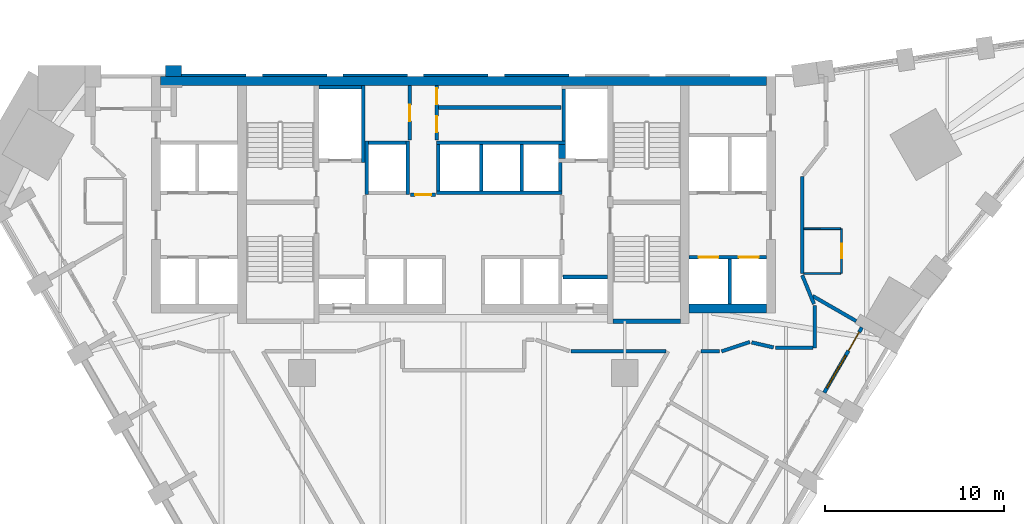
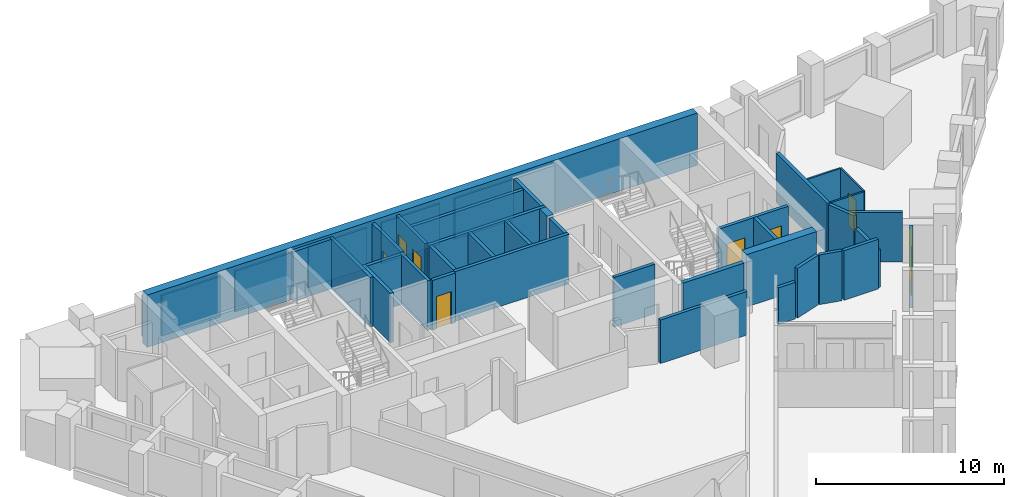
# One storey, part 7 of 10: 42 walls, 8 doors, 1 window, 9 openings.
"""IFC4 building model written with IfcOpenShell, lengths in metres."""

import ifcopenshell
import ifcopenshell.guid

model = None  # the IFC model being written
_history = None  # IfcOwnerHistory: only IFC2X3 demands one
_inside = {}  # id of a spatial element -> (the spatial element, [elements in it])
_under = {}  # id of a project, library or spatial element -> (it, [spatial elements below it])
_declared = {}  # id of a project -> (the project, [libraries it declares])
_typed = {}  # id of a type object -> (the type object, [elements of that type])
_made_of = {}  # id of a material, layer set ... -> (it, [elements and type objects made of it])


def new_model(schema):
    """Start an empty IFC model of exactly this schema.

    Asked for "IFC4X3", IfcOpenShell would pick the latest addendum, in which some entities
    have other attributes; the version numbers below select the first issue.
    IFC2X3 requires an IfcOwnerHistory on every rooted entity: one is made here for all.
    """
    global model, _history
    if schema == "IFC4X3":
        model = ifcopenshell.file(schema_version=(4, 3, 0, 0))
    else:
        model = ifcopenshell.file(schema=schema)
    _inside.clear()
    _under.clear()
    _declared.clear()
    _typed.clear()
    _made_of.clear()
    _history = None
    if model.schema == "IFC2X3":
        org = make("IfcOrganization", Name="unknown")
        user = make(
            "IfcPersonAndOrganization",
            ThePerson=make("IfcPerson", FamilyName="unknown"),
            TheOrganization=org,
        )
        app = make(
            "IfcApplication",
            ApplicationDeveloper=org,
            Version="unknown",
            ApplicationFullName="unknown",
            ApplicationIdentifier="unknown",
        )
        _history = make(
            "IfcOwnerHistory",
            OwningUser=user,
            OwningApplication=app,
            ChangeAction="ADDED",
            CreationDate=0,
        )
    return model


def make(cls, **values):
    """One entity of the class cls with the attributes given. An attribute that is None is left unset."""
    return model.create_entity(
        cls, **{name: value for name, value in values.items() if value is not None}
    )


def rooted(cls, **values):
    """An entity with a GlobalId (a new one), such as an element, a storey or a relation."""
    return make(cls, GlobalId=ifcopenshell.guid.new(), OwnerHistory=_history, **values)


def si_unit(unit_type, name, prefix=None):
    """IfcSIUnit, for example si_unit("LENGTHUNIT", "METRE", prefix="MILLI")."""
    return make("IfcSIUnit", UnitType=unit_type, Prefix=prefix, Name=name)


def assignment(units):
    """IfcUnitAssignment: the units of a project."""
    return None if units is None else make("IfcUnitAssignment", Units=units)


def point(xyz):
    """IfcCartesianPoint."""
    return None if xyz is None else make("IfcCartesianPoint", Coordinates=xyz)


def direction(xyz):
    """IfcDirection."""
    return None if xyz is None else make("IfcDirection", DirectionRatios=xyz)


def frame(location, z_axis=None, x_axis=None):
    """IfcAxis2Placement3D, a coordinate frame: its origin and axes. An axis left out is left unset."""
    return make(
        "IfcAxis2Placement3D",
        Location=point(location),
        Axis=direction(z_axis),
        RefDirection=direction(x_axis),
    )


def frame_2d(location, x_axis=None):
    """IfcAxis2Placement2D, a coordinate frame in the plane: its origin and x axis."""
    return make(
        "IfcAxis2Placement2D", Location=point(location), RefDirection=direction(x_axis)
    )


def origin():
    """The frame at (0, 0, 0) with its axes left unset."""
    return frame((0.0, 0.0, 0.0))


def place(relative_to, where):
    """IfcLocalPlacement: puts the frame where relative to a parent placement (None: the world)."""
    return make(
        "IfcLocalPlacement", PlacementRelTo=relative_to, RelativePlacement=where
    )


def context(
    kind, dimensions, precision=None, world=None, true_north=None, identifier=None
):
    """IfcGeometricRepresentationContext, for example the 3D "Model" context."""
    return make(
        "IfcGeometricRepresentationContext",
        ContextIdentifier=identifier,
        ContextType=kind,
        CoordinateSpaceDimension=dimensions,
        Precision=precision,
        WorldCoordinateSystem=world,
        TrueNorth=true_north,
    )


def subcontext(parent, identifier, kind, view, scale=None):
    """IfcGeometricRepresentationSubContext, for example "Body" below "Model"."""
    return make(
        "IfcGeometricRepresentationSubContext",
        ContextIdentifier=identifier,
        ContextType=kind,
        ParentContext=parent,
        TargetScale=scale,
        TargetView=view,
    )


def project(units=None, contexts=None):
    """IfcProject with its units and contexts."""
    return rooted(
        "IfcProject",
        Name="project",
        RepresentationContexts=contexts,
        UnitsInContext=assignment(units),
    )


def spatial(cls, under=None, at=None, **own):
    """A site, building, storey or space (cls), placed at a placement, below another one or the project."""
    s = rooted(cls, ObjectPlacement=at, **own)
    if under is not None:
        _under.setdefault(under.id(), (under, []))[1].append(s)
    return s


def polyline(points):
    """IfcPolyline through the points."""
    return make("IfcPolyline", Points=[point(p) for p in points])


def profile(cls, at=None, kind="AREA", **sizes):
    """A parametric profile (cls). Its sizes go by their IFC names, for example OverallWidth=200.0."""
    return make(cls, ProfileType=kind, Position=at, **sizes)


def rectangle(**sizes):
    """IfcRectangleProfileDef."""
    return profile("IfcRectangleProfileDef", **sizes)


def outline(outer, holes=None, kind="AREA"):
    """IfcArbitraryClosedProfileDef: a profile drawn as a closed curve; with holes, ...WithVoids."""
    if holes is None:
        return make("IfcArbitraryClosedProfileDef", ProfileType=kind, OuterCurve=outer)
    return make(
        "IfcArbitraryProfileDefWithVoids",
        ProfileType=kind,
        OuterCurve=outer,
        InnerCurves=holes,
    )


def extrude(swept, where, along, depth):
    """IfcExtrudedAreaSolid: the profile swept, set in the frame where, extruded along a direction by depth."""
    return make(
        "IfcExtrudedAreaSolid",
        SweptArea=swept,
        Position=where,
        ExtrudedDirection=direction(along),
        Depth=depth,
    )


def shape(context_of_items, identifier, shape_type, items):
    """IfcShapeRepresentation: the items that make up one representation, for example the "Body"."""
    return make(
        "IfcShapeRepresentation",
        ContextOfItems=context_of_items,
        RepresentationIdentifier=identifier,
        RepresentationType=shape_type,
        Items=items,
    )


def material(Name=None, Category=None):
    """IfcMaterial."""
    return make("IfcMaterial", Name=Name, Category=Category)


def layer(
    of_material, thickness, ventilated=None, Name=None, Category=None, Priority=None
):
    """IfcMaterialLayer: one layer of a wall or slab, of a material (None: an air gap)."""
    return make(
        "IfcMaterialLayer",
        Material=of_material,
        LayerThickness=thickness,
        IsVentilated=ventilated,
        Name=Name,
        Category=Category,
        Priority=Priority,
    )


def layer_set(layers, Name=None):
    """IfcMaterialLayerSet."""
    return make("IfcMaterialLayerSet", MaterialLayers=layers, LayerSetName=Name)


def made_of(thing, what):
    """Note that an element or type object is made of a material, layer set ...; save() writes the relation."""
    if what is not None:
        _made_of.setdefault(what.id(), (what, []))[1].append(thing)
    return thing


def type_object(cls, material=None, **own):
    """A type object (cls), such as IfcWallType, which elements share."""
    return made_of(rooted(cls, **own), material)


def element(
    cls,
    number,
    at=None,
    inside=None,
    cuts=None,
    type_object=None,
    material=None,
    context=None,
    identifier="Body",
    shape_type=None,
    held_by="IfcProductDefinitionShape",
    body=None,
    shapes=None,
    **own,
):
    """One element of the class cls, such as IfcWall. Its Tag is "e" and its number.

    at: its placement. inside: the storey or other place that contains it. cuts: it is an
    opening in that element (IfcRelVoidsElement). A single representation is given by context,
    identifier, shape_type and body (its items); several are given by shapes. held_by: the class
    of the entity that holds the representations. save() writes the other relations.
    """
    e = rooted(cls, Tag="e%d" % number, ObjectPlacement=at, **own)
    if body is not None:
        shapes = [shape(context, identifier, shape_type, body)]
    if shapes is not None:
        e.Representation = make(held_by, Representations=shapes)
    if inside is not None:
        _inside.setdefault(inside.id(), (inside, []))[1].append(e)
    if cuts is not None:
        rooted(
            "IfcRelVoidsElement", RelatingBuildingElement=cuts, RelatedOpeningElement=e
        )
    if type_object is not None:
        _typed.setdefault(type_object.id(), (type_object, []))[1].append(e)
    return made_of(e, material)


def fill(opening, filler):
    """IfcRelFillsElement: the door or window that sits in an opening."""
    return rooted(
        "IfcRelFillsElement",
        RelatingOpeningElement=opening,
        RelatedBuildingElement=filler,
    )


def aggregate(whole, parts):
    """IfcRelAggregates: a whole, such as a stair, and the parts it consists of."""
    return rooted("IfcRelAggregates", RelatingObject=whole, RelatedObjects=parts)


def save(model, path):
    """Write the relations noted so far, then the file.

    IfcRelAggregates (storeys below a building ...), IfcRelContainedInSpatialStructure (elements
    in a storey), IfcRelDefinesByType, IfcRelAssociatesMaterial and IfcRelDeclares: one each for
    every whole, place, type object, material and project.
    """
    for whole, parts in _under.values():
        aggregate(whole, parts)
    for where, things in _inside.values():
        rooted(
            "IfcRelContainedInSpatialStructure",
            RelatedElements=things,
            RelatingStructure=where,
        )
    for kind, things in _typed.values():
        rooted("IfcRelDefinesByType", RelatedObjects=things, RelatingType=kind)
    for what, things in _made_of.values():
        rooted("IfcRelAssociatesMaterial", RelatedObjects=things, RelatingMaterial=what)
    for by, libraries in _declared.values():
        rooted("IfcRelDeclares", RelatingContext=by, RelatedDefinitions=libraries)
    model.write(path)


model = new_model("IFC4")

# Units and contexts
model_context = context("Model", 3, precision=1e-05, world=origin(), true_north=direction((0.0, 1.0)))
body_context = subcontext(model_context, "Body", "Model", "MODEL_VIEW")
ifc_project = project(units=[si_unit("LENGTHUNIT", "METRE"), si_unit("AREAUNIT", "SQUARE_METRE"), si_unit("VOLUMEUNIT", "CUBIC_METRE"), si_unit("PLANEANGLEUNIT", "RADIAN"), si_unit("MASSUNIT", "GRAM", prefix="KILO")], contexts=[model_context])

# Site, building, storey
site_placement = place(None, origin())
site = spatial("IfcSite", under=ifc_project, at=site_placement, CompositionType="ELEMENT")
building_placement = place(site_placement, origin())
building = spatial("IfcBuilding", under=site, at=building_placement, Name="Calabash Gate Tower", CompositionType="ELEMENT")
storey_placement = place(building_placement, frame((0.0, 0.0, 102.0)))
storey = spatial("IfcBuildingStorey", under=building, at=storey_placement, Name="L22", CompositionType="ELEMENT", Elevation=102.0)

# Walls
ifc_material_1 = material(Name="Terracotta brick masonry, exposed face", Category="masonry")
ifc_layer_1 = layer(ifc_material_1, 1.199951171875)
ifc_layer_set_1 = layer_set([ifc_layer_1], Name="Brick end wall 1200")
wall_type_1 = type_object("IfcWallType", Name="Brick end wall 1200", PredefinedType="SOLIDWALL", material=ifc_layer_set_1)
wall_1_placement = place(storey_placement, origin())
element("IfcWall", 1, at=wall_1_placement, inside=storey, type_object=wall_type_1, Name="Brick pier S06 N6.7a", PredefinedType="SOLIDWALL", context=body_context, shape_type="SweptSolid", body=[
    extrude(outline(polyline([(-15.718994140625, 19.052490234375), (-15.718994140625, 19.652587890625), (-16.619140625, 19.652587890625), (-16.619140625, 19.052490234375), (-15.718994140625, 19.052490234375)])), origin(), (0.0, 0.0, 1.0), 2.64990234375),
])
ifc_material_2 = material(Name="Concrete C80/95", Category="concrete")
ifc_layer_2 = layer(ifc_material_2, 0.25)
ifc_layer_set_2 = layer_set([ifc_layer_2], Name="Core wall 250 Concrete C80/95")
wall_type_2 = type_object("IfcWallType", Name="Core wall 250 Concrete C80/95", PredefinedType="SHEAR", material=ifc_layer_set_2)
wall_2_placement = place(storey_placement, frame((8.35009765625, 5.377685546875, 0.0), z_axis=(0.0, 0.0, 1.0), x_axis=(1.0, 0.0, 0.0)))
element("IfcWall", 2, at=wall_2_placement, inside=storey, type_object=wall_type_2, Name="Core wall Z2-SSE L22", PredefinedType="SHEAR", context=body_context, shape_type="SweptSolid", body=[
    extrude(rectangle(XDim=3.75, YDim=0.25, at=frame_2d((1.875, 0.0))), origin(), (0.0, 0.0, 1.0), 3.39990234375),
])
ifc_material_3 = material(Name="Concrete C80/95", Category="concrete")
ifc_layer_3 = layer(ifc_material_3, 0.5)
ifc_layer_set_3 = layer_set([ifc_layer_3], Name="Core wall 500 Concrete C80/95")
wall_type_3 = type_object("IfcWallType", Name="Core wall 500 Concrete C80/95", PredefinedType="SHEAR", material=ifc_layer_set_3)
wall_3_placement = place(storey_placement, frame((-16.89990234375, 18.802490234375, 0.0), z_axis=(0.0, 0.0, 1.0), x_axis=(1.0, 0.0, 0.0)))
element("IfcWall", 3, at=wall_3_placement, inside=storey, type_object=wall_type_3, Name="Core wall Z2-N L22", PredefinedType="SHEAR", context=body_context, shape_type="SweptSolid", body=[
    extrude(rectangle(XDim=33.7998046875, YDim=0.5, at=frame_2d((16.89990234375, 0.0))), origin(), (0.0, 0.0, 1.0), 3.39990234375),
])
wall_4_placement = place(storey_placement, frame((12.60009765625, 6.1025390625, 0.0), z_axis=(0.0, 0.0, 1.0), x_axis=(1.0, 0.0, 0.0)))
element("IfcWall", 4, at=wall_4_placement, inside=storey, type_object=wall_type_3, Name="Core wall Z2-SE L22", PredefinedType="SHEAR", context=body_context, shape_type="SweptSolid", body=[
    extrude(rectangle(XDim=4.2998046875, YDim=0.5, at=frame_2d((2.14990234375, 0.0))), origin(), (0.0, 0.0, 1.0), 3.39990234375),
])
ifc_material_4 = material(Name="Gypsum board on steel studs, mineral wool", Category="steel")
ifc_layer_4 = layer(ifc_material_4, 0.10009765625)
ifc_layer_set_4 = layer_set([ifc_layer_4], Name="Partition 100 gypsum board")
wall_type_4 = type_object("IfcWallType", Name="Partition 100 gypsum board", PredefinedType="PARTITIONING", material=ifc_layer_set_4)
wall_5_placement = place(storey_placement, frame((19.00048828125, 8.05419921875, 0.0), z_axis=(0.0, 0.0, 1.0), x_axis=(0.999999744716, -0.000714540725, 0.0)))
element("IfcWall", 5, at=wall_5_placement, inside=storey, type_object=wall_type_4, Name="Partition", PredefinedType="PARTITIONING", context=body_context, shape_type="SweptSolid", body=[
    extrude(rectangle(XDim=2.050048828125, YDim=0.10009765625, at=frame_2d((1.02490234375, 0.0))), origin(), (0.0, 0.0, 1.0), 3.22998046875),
])

# Wall, opening, door
wall_6_placement = place(storey_placement, frame((21.1005859375, 8.052734375, 0.0), z_axis=(0.0, 0.0, 1.0), x_axis=(0.0, 1.0, 0.0)))
wall_6 = element("IfcWall", 6, at=wall_6_placement, inside=storey, type_object=wall_type_4, Name="Partition", PredefinedType="PARTITIONING", context=body_context, shape_type="SweptSolid", body=[
    extrude(rectangle(XDim=2.5, YDim=0.10009765625, at=frame_2d((1.25, 0.0))), origin(), (0.0, 0.0, 1.0), 3.22998046875),
])
opening_1_placement = place(wall_6_placement, frame((0.85009765625, 0.0, 0.0)))
opening_1 = element("IfcOpeningElement", 7, at=opening_1_placement, cuts=wall_6, Name="Opening 22-24-010", PredefinedType="OPENING", context=body_context, shape_type="SweptSolid", body=[
    extrude(rectangle(XDim=0.800048828125, YDim=2.10009765625, at=frame_2d((0.39990234375, 1.050048828125))), frame((0.0, 0.06005859375, 0.0), z_axis=(0.0, -1.0, 0.0), x_axis=(1.0, 0.0, 0.0)), (0.0, 0.0, 1.0), 0.1201171875),
])
ifc_material_5 = material(Name="Painted timber door", Category="wood")
door_type_1 = type_object("IfcDoorType", Name="GD5 En-suite door 800x2100", OperationType="NOTDEFINED", PredefinedType="DOOR", material=ifc_material_5)
door_1_placement = place(opening_1_placement, origin())
door_1 = element("IfcDoor", 8, at=door_1_placement, inside=storey, type_object=door_type_1, Name="En-suite door", OperationType="SINGLE_SWING_LEFT", OverallHeight=2.10009765625, OverallWidth=0.800048828125, PredefinedType="DOOR", context=body_context, shape_type="SweptSolid", body=[
    extrude(rectangle(XDim=0.800048828125, YDim=2.10009765625, at=frame_2d((0.39990234375, 1.050048828125))), frame((0.0, 0.02490234375, 0.0), z_axis=(0.0, -1.0, 0.0), x_axis=(1.0, 0.0, 0.0)), (0.0, 0.0, 1.0), 0.050048828125),
])
fill(opening_1, door_1)

# Walls
wall_7_placement = place(storey_placement, frame((19.00048828125, 10.551025390625, 0.0), z_axis=(0.0, 0.0, 1.0), x_axis=(0.999999744716, 0.000714540725, 0.0)))
element("IfcWall", 9, at=wall_7_placement, inside=storey, type_object=wall_type_4, Name="Partition", PredefinedType="PARTITIONING", context=body_context, shape_type="SweptSolid", body=[
    extrude(rectangle(XDim=2.050048828125, YDim=0.10009765625, at=frame_2d((1.02490234375, 0.0))), origin(), (0.0, 0.0, 1.0), 3.22998046875),
])
ifc_material_6 = material(Name="Gypsum board on steel studs, mineral wool", Category="steel")
ifc_layer_5 = layer(ifc_material_6, 0.199951171875)
ifc_layer_set_5 = layer_set([ifc_layer_5], Name="Partition 200 gypsum board EI 60")
wall_type_5 = type_object("IfcWallType", Name="Partition 200 gypsum board EI 60", PredefinedType="PARTITIONING", material=ifc_layer_set_5)
wall_8_placement = place(storey_placement, frame((6.0, 3.69970703125, 0.0), z_axis=(0.0, 0.0, 1.0), x_axis=(1.0, 0.0, 0.0)))
element("IfcWall", 10, at=wall_8_placement, inside=storey, type_object=wall_type_5, Name="Partition", PredefinedType="PARTITIONING", context=body_context, shape_type="SweptSolid", body=[
    extrude(rectangle(XDim=5.314697265625, YDim=0.199951171875, at=frame_2d((2.6572265625, 0.0))), origin(), (0.0, 0.0, 1.0), 2.83154296875),
])
wall_9_placement = place(storey_placement, frame((13.24755859375, 3.699462890625, 0.0), z_axis=(0.0, 0.0, 1.0), x_axis=(1.0, 0.0, 0.0)))
element("IfcWall", 11, at=wall_9_placement, inside=storey, type_object=wall_type_5, Name="Partition", PredefinedType="PARTITIONING", context=body_context, shape_type="SweptSolid", body=[
    extrude(rectangle(XDim=1.052490234375, YDim=0.199951171875, at=frame_2d((0.5263671875, 0.0))), origin(), (0.0, 0.0, 1.0), 2.384033203125),
])
wall_10_placement = place(storey_placement, frame((14.400146484375, 3.699462890625, 0.0), z_axis=(0.0, 0.0, 1.0), x_axis=(0.948683298051, 0.316227766017, 0.0)))
element("IfcWall", 12, at=wall_10_placement, inside=storey, type_object=wall_type_5, Name="Partition", PredefinedType="PARTITIONING", context=body_context, shape_type="SweptSolid", body=[
    extrude(rectangle(XDim=1.66845703125, YDim=0.199951171875, at=frame_2d((0.834228515625, 0.0))), origin(), (0.0, 0.0, 1.0), 3.22998046875),
])
wall_11_placement = place(storey_placement, frame((17.39990234375, 3.8994140625, 0.0), z_axis=(0.0, 0.0, 1.0), x_axis=(0.999999993243, 0.000116252034, 0.0)))
element("IfcWall", 13, at=wall_11_placement, inside=storey, type_object=wall_type_5, Name="Partition", PredefinedType="PARTITIONING", context=body_context, shape_type="SweptSolid", body=[
    extrude(rectangle(XDim=2.10009765625, YDim=0.199951171875, at=frame_2d((1.050048828125, 0.0))), origin(), (0.0, 0.0, 1.0), 3.22998046875),
])
wall_12_placement = place(storey_placement, frame((19.60009765625, 3.899658203125, 0.0), z_axis=(0.0, 0.0, 1.0), x_axis=(0.000207511927, 0.999999978469, 0.0)))
element("IfcWall", 14, at=wall_12_placement, inside=storey, type_object=wall_type_5, Name="Partition", PredefinedType="PARTITIONING", context=body_context, shape_type="SweptSolid", body=[
    extrude(rectangle(XDim=2.35302734375, YDim=0.199951171875, at=frame_2d((1.176513671875, 0.0))), origin(), (0.0, 0.0, 1.0), 2.4501953125),
])
wall_13_placement = place(storey_placement, frame((16.080322265625, 4.20458984375, 0.0), z_axis=(0.0, 0.0, 1.0), x_axis=(0.974315694548, -0.225186428005, 0.0)))
element("IfcWall", 15, at=wall_13_placement, inside=storey, type_object=wall_type_5, Name="Partition", PredefinedType="PARTITIONING", context=body_context, shape_type="SweptSolid", body=[
    extrude(rectangle(XDim=1.25439453125, YDim=0.199951171875, at=frame_2d((0.627197265625, 0.0))), origin(), (0.0, 0.0, 1.0), 3.22998046875),
])
wall_14_placement = place(storey_placement, frame((18.904296875, 7.9541015625, 0.0), z_axis=(0.0, 0.0, 1.0), x_axis=(0.378643783121, -0.925542481739, 0.0)))
element("IfcWall", 16, at=wall_14_placement, inside=storey, type_object=wall_type_5, Name="Partition", PredefinedType="PARTITIONING", context=body_context, shape_type="SweptSolid", body=[
    extrude(rectangle(XDim=1.73828125, YDim=0.199951171875, at=frame_2d((0.869140625, 0.0))), origin(), (0.0, 0.0, 1.0), 3.22998046875),
])
wall_15_placement = place(storey_placement, frame((19.487060546875, 6.794189453125, 0.0), z_axis=(0.0, 0.0, 1.0), x_axis=(0.866320237392, -0.499488985149, 0.0)))
element("IfcWall", 17, at=wall_15_placement, inside=storey, type_object=wall_type_5, Name="Partition", PredefinedType="PARTITIONING", context=body_context, shape_type="SweptSolid", body=[
    extrude(rectangle(XDim=2.806640625, YDim=0.199951171875, at=frame_2d((1.4033203125, 0.0))), origin(), (0.0, 0.0, 1.0), 3.22998046875),
])
wall_16_placement = place(storey_placement, frame((18.902099609375, 8.052734375, 0.0), z_axis=(0.0, 0.0, 1.0), x_axis=(0.0, 1.0, 0.0)))
element("IfcWall", 18, at=wall_16_placement, inside=storey, type_object=wall_type_5, Name="Partition", PredefinedType="PARTITIONING", context=body_context, shape_type="SweptSolid", body=[
    extrude(rectangle(XDim=5.399658203125, YDim=0.199951171875, at=frame_2d((2.69970703125, 0.0))), origin(), (0.0, 0.0, 1.0), 3.22998046875),
])
ifc_material_7 = material(Name="Concrete C40/50", Category="concrete")
ifc_layer_6 = layer(ifc_material_7, 0.199951171875)
ifc_layer_set_6 = layer_set([ifc_layer_6], Name="Shaft wall 200 Concrete C40/50")
wall_type_6 = type_object("IfcWallType", Name="Shaft wall 200 Concrete C40/50", PredefinedType="SOLIDWALL", material=ifc_layer_set_6)
for number, where, z_axis, x_axis, name in (
    (19, (14.85009765625, 6.3525390625, 0.0), (0.0, 0.0, 1.0), (0.0, 1.0, 0.0), "Shaft wall"),
    (20, (5.550048828125, 7.8525390625, 0.0), (0.0, 0.0, 1.0), (1.0, 0.0, 0.0), "Shaft wall"),
):
    element("IfcWall", number, at=place(storey_placement, frame(where, z_axis=z_axis, x_axis=x_axis)), inside=storey, type_object=wall_type_6, Name=name, PredefinedType="SOLIDWALL", context=body_context, shape_type="SweptSolid", body=[
        extrude(rectangle(XDim=2.5, YDim=0.199951171875, at=frame_2d((1.25, 0.0))), origin(), (0.0, 0.0, 1.0), 3.22998046875),
    ])

# Wall, openings, doors
wall_17_placement = place(storey_placement, frame((12.60009765625, 8.95263671875, 0.0), z_axis=(0.0, 0.0, 1.0), x_axis=(1.0, 0.0, 0.0)))
wall_17 = element("IfcWall", 21, at=wall_17_placement, inside=storey, type_object=wall_type_6, Name="Shaft wall", PredefinedType="SOLIDWALL", context=body_context, shape_type="SweptSolid", body=[
    extrude(rectangle(XDim=4.2998046875, YDim=0.199951171875, at=frame_2d((2.14990234375, 0.0))), origin(), (0.0, 0.0, 1.0), 3.22998046875),
])
opening_2_placement = place(wall_17_placement, frame((0.52490234375, 0.0, 0.0)))
opening_2 = element("IfcOpeningElement", 22, at=opening_2_placement, cuts=wall_17, Name="Opening LD-LR5", PredefinedType="OPENING", context=body_context, shape_type="SweptSolid", body=[
    extrude(rectangle(XDim=1.10009765625, YDim=2.10009765625, at=frame_2d((0.550048828125, 1.050048828125))), frame((0.0, 0.10986328125, 0.0), z_axis=(0.0, -1.0, 0.0), x_axis=(1.0, 0.0, 0.0)), (0.0, 0.0, 1.0), 0.219970703125),
])
opening_3_placement = place(wall_17_placement, frame((2.77490234375, 0.0, 0.0)))
opening_3 = element("IfcOpeningElement", 23, at=opening_3_placement, cuts=wall_17, Name="Opening LD-LR6", PredefinedType="OPENING", context=body_context, shape_type="SweptSolid", body=[
    extrude(rectangle(XDim=1.10009765625, YDim=2.10009765625, at=frame_2d((0.550048828125, 1.050048828125))), frame((0.0, 0.10986328125, 0.0), z_axis=(0.0, -1.0, 0.0), x_axis=(1.0, 0.0, 0.0)), (0.0, 0.0, 1.0), 0.219970703125),
])
ifc_material_8 = material(Name="Stainless steel sliding door leaves", Category="steel")
door_type_2 = type_object("IfcDoorType", Name="Lift landing door LS1 1100x2100 FD90", OperationType="DOUBLE_DOOR_SLIDING", PredefinedType="DOOR", material=ifc_material_8)
door_2_placement = place(opening_2_placement, origin())
door_2 = element("IfcDoor", 24, at=door_2_placement, inside=storey, type_object=door_type_2, Name="Lift landing door LR5", OperationType="DOUBLE_DOOR_SLIDING", OverallHeight=2.10009765625, OverallWidth=1.10009765625, PredefinedType="DOOR", context=body_context, shape_type="SweptSolid", body=[
    extrude(rectangle(XDim=1.10009765625, YDim=2.10009765625, at=frame_2d((0.550048828125, 1.050048828125))), frame((0.0, 0.02490234375, 0.0), z_axis=(0.0, -1.0, 0.0), x_axis=(1.0, 0.0, 0.0)), (0.0, 0.0, 1.0), 0.050048828125),
])
fill(opening_2, door_2)
door_3_placement = place(opening_3_placement, origin())
door_3 = element("IfcDoor", 25, at=door_3_placement, inside=storey, type_object=door_type_2, Name="Lift landing door LR6", OperationType="DOUBLE_DOOR_SLIDING", OverallHeight=2.10009765625, OverallWidth=1.10009765625, PredefinedType="DOOR", context=body_context, shape_type="SweptSolid", body=[
    extrude(rectangle(XDim=1.10009765625, YDim=2.10009765625, at=frame_2d((0.550048828125, 1.050048828125))), frame((0.0, 0.02490234375, 0.0), z_axis=(0.0, -1.0, 0.0), x_axis=(1.0, 0.0, 0.0)), (0.0, 0.0, 1.0), 0.050048828125),
])
fill(opening_3, door_3)

# Wall, opening, door
wall_18_placement = place(storey_placement, frame((-2.949951171875, 12.45263671875, 0.0), z_axis=(0.0, 0.0, 1.0), x_axis=(1.0, 0.0, 0.0)))
wall_18 = element("IfcWall", 26, at=wall_18_placement, inside=storey, type_object=wall_type_6, Name="Shaft wall", PredefinedType="SOLIDWALL", context=body_context, shape_type="SweptSolid", body=[
    extrude(rectangle(XDim=1.39990234375, YDim=0.199951171875, at=frame_2d((0.699951171875, 0.0))), origin(), (0.0, 0.0, 1.0), 3.22998046875),
])
opening_4_placement = place(wall_18_placement, frame((0.25, 0.0, 0.0)))
opening_4 = element("IfcOpeningElement", 27, at=opening_4_placement, cuts=wall_18, Name="Opening H6-005", PredefinedType="OPENING", context=body_context, shape_type="SweptSolid", body=[
    extrude(rectangle(XDim=0.89990234375, YDim=2.10009765625, at=frame_2d((0.449951171875, 1.050048828125))), frame((0.0, 0.10986328125, 0.0), z_axis=(0.0, -1.0, 0.0), x_axis=(1.0, 0.0, 0.0)), (0.0, 0.0, 1.0), 0.219970703125),
])
ifc_material_9 = material(Name="Steel fire door set with fire-resisting glazing", Category="steel")
door_type_3 = type_object("IfcDoorType", Name="Fire door D06 900x2100 FD60", OperationType="NOTDEFINED", PredefinedType="DOOR", material=ifc_material_9)
door_4_placement = place(opening_4_placement, origin())
door_4 = element("IfcDoor", 28, at=door_4_placement, inside=storey, type_object=door_type_3, Name="Service Corridor door", OperationType="SINGLE_SWING_RIGHT", OverallHeight=2.10009765625, OverallWidth=0.89990234375, PredefinedType="DOOR", context=body_context, shape_type="SweptSolid", body=[
    extrude(rectangle(XDim=0.89990234375, YDim=2.10009765625, at=frame_2d((0.449951171875, 1.050048828125))), frame((0.0, 0.02490234375, 0.0), z_axis=(0.0, -1.0, 0.0), x_axis=(1.0, 0.0, 0.0)), (0.0, 0.0, 1.0), 0.050048828125),
])
fill(opening_4, door_4)

# Walls
for number, where, z_axis, x_axis, name in (
    (29, (-5.39990234375, 12.45263671875, 0.0), (0.0, 0.0, 1.0), (0.0, 1.0, 0.0), "Shaft wall"),
    (30, (-3.10009765625, 12.45263671875, 0.0), (0.0, 0.0, 1.0), (0.0, 1.0, 0.0), "Shaft wall"),
):
    element("IfcWall", number, at=place(storey_placement, frame(where, z_axis=z_axis, x_axis=x_axis)), inside=storey, type_object=wall_type_6, Name=name, PredefinedType="SOLIDWALL", context=body_context, shape_type="SweptSolid", body=[
        extrude(rectangle(XDim=3.0, YDim=0.199951171875, at=frame_2d((1.5, 0.0))), origin(), (0.0, 0.0, 1.0), 3.22998046875),
    ])
wall_19_placement = place(storey_placement, frame((-1.5, 12.552490234375, 0.0), z_axis=(0.0, 0.0, 1.0), x_axis=(1.0, 0.0, 0.0)))
element("IfcWall", 31, at=wall_19_placement, inside=storey, type_object=wall_type_6, Name="Shaft wall", PredefinedType="SOLIDWALL", context=body_context, shape_type="SweptSolid", body=[
    extrude(rectangle(XDim=7.0, YDim=0.199951171875, at=frame_2d((3.5, 0.0))), origin(), (0.0, 0.0, 1.0), 3.22998046875),
])
for number, where, z_axis, x_axis, name in (
    (32, (-1.39990234375, 12.652587890625, 0.0), (0.0, 0.0, 1.0), (0.0, 1.0, 0.0), "Shaft wall"),
    (33, (1.0, 12.652587890625, 0.0), (0.0, 0.0, 1.0), (0.0, 1.0, 0.0), "Shaft wall"),
    (34, (3.25, 12.652587890625, 0.0), (0.0, 0.0, 1.0), (0.0, 1.0, 0.0), "Shaft wall"),
):
    element("IfcWall", number, at=place(storey_placement, frame(where, z_axis=z_axis, x_axis=x_axis)), inside=storey, type_object=wall_type_6, Name=name, PredefinedType="SOLIDWALL", context=body_context, shape_type="SweptSolid", body=[
        extrude(rectangle(XDim=2.60009765625, YDim=0.199951171875, at=frame_2d((1.300048828125, 0.0))), origin(), (0.0, 0.0, 1.0), 3.22998046875),
    ])
wall_20_placement = place(storey_placement, frame((5.39990234375, 12.652587890625, 0.0), z_axis=(0.0, 0.0, 1.0), x_axis=(0.0, 1.0, 0.0)))
element("IfcWall", 35, at=wall_20_placement, inside=storey, type_object=wall_type_6, Name="Shaft wall", PredefinedType="SOLIDWALL", context=body_context, shape_type="SweptSolid", body=[
    extrude(rectangle(XDim=1.60009765625, YDim=0.199951171875, at=frame_2d((0.800048828125, 0.0))), origin(), (0.0, 0.0, 1.0), 3.22998046875),
])
wall_21_placement = place(storey_placement, frame((-5.60009765625, 14.252685546875, 0.0), z_axis=(0.0, 0.0, 1.0), x_axis=(0.0, 1.0, 0.0)))
element("IfcWall", 36, at=wall_21_placement, inside=storey, type_object=wall_type_6, Name="Shaft wall", PredefinedType="SOLIDWALL", context=body_context, shape_type="SweptSolid", body=[
    extrude(rectangle(XDim=4.2998046875, YDim=0.199951171875, at=frame_2d((2.14990234375, 0.0))), origin(), (0.0, 0.0, 1.0), 3.22998046875),
])
wall_22_placement = place(storey_placement, frame((5.5, 14.45263671875, 0.0), z_axis=(0.0, 0.0, 1.0), x_axis=(0.0, 1.0, 0.0)))
element("IfcWall", 37, at=wall_22_placement, inside=storey, type_object=wall_type_6, Name="Shaft wall", PredefinedType="SOLIDWALL", context=body_context, shape_type="SweptSolid", body=[
    extrude(rectangle(XDim=0.800048828125, YDim=0.39990234375, at=frame_2d((0.39990234375, 0.0))), origin(), (0.0, 0.0, 1.0), 3.22998046875),
])
wall_23_placement = place(storey_placement, frame((-5.300048828125, 15.3525390625, 0.0), z_axis=(0.0, 0.0, 1.0), x_axis=(1.0, 0.0, 0.0)))
element("IfcWall", 38, at=wall_23_placement, inside=storey, type_object=wall_type_6, Name="Shaft wall", PredefinedType="SOLIDWALL", context=body_context, shape_type="SweptSolid", body=[
    extrude(rectangle(XDim=2.10009765625, YDim=0.199951171875, at=frame_2d((1.050048828125, 0.0))), origin(), (0.0, 0.0, 1.0), 3.22998046875),
])
wall_24_placement = place(storey_placement, frame((-1.5, 15.3525390625, 0.0), z_axis=(0.0, 0.0, 1.0), x_axis=(1.0, 0.0, 0.0)))
element("IfcWall", 39, at=wall_24_placement, inside=storey, type_object=wall_type_6, Name="Shaft wall", PredefinedType="SOLIDWALL", context=body_context, shape_type="SweptSolid", body=[
    extrude(rectangle(XDim=7.199951171875, YDim=0.199951171875, at=frame_2d((3.60009765625, 0.0))), origin(), (0.0, 0.0, 1.0), 3.22998046875),
])
wall_25_placement = place(storey_placement, frame((5.60009765625, 15.45263671875, 0.0), z_axis=(0.0, 0.0, 1.0), x_axis=(0.0, 1.0, 0.0)))
element("IfcWall", 40, at=wall_25_placement, inside=storey, type_object=wall_type_6, Name="Shaft wall", PredefinedType="SOLIDWALL", context=body_context, shape_type="SweptSolid", body=[
    extrude(rectangle(XDim=2.89990234375, YDim=0.199951171875, at=frame_2d((1.449951171875, 0.0))), origin(), (0.0, 0.0, 1.0), 3.22998046875),
])

# Wall, opening, door
wall_26_placement = place(storey_placement, frame((-3.0, 15.502685546875, 0.0), z_axis=(0.0, 0.0, 1.0), x_axis=(0.0, 1.0, 0.0)))
wall_26 = element("IfcWall", 41, at=wall_26_placement, inside=storey, type_object=wall_type_6, Name="Shaft wall", PredefinedType="SOLIDWALL", context=body_context, shape_type="SweptSolid", body=[
    extrude(rectangle(XDim=3.0498046875, YDim=0.199951171875, at=frame_2d((1.52490234375, 0.0))), origin(), (0.0, 0.0, 1.0), 3.22998046875),
])
opening_5_placement = place(wall_26_placement, frame((1.050048828125, 0.0, 0.0)))
opening_5 = element("IfcOpeningElement", 42, at=opening_5_placement, cuts=wall_26, Name="Opening H6-008", PredefinedType="OPENING", context=body_context, shape_type="SweptSolid", body=[
    extrude(rectangle(XDim=0.89990234375, YDim=2.10009765625, at=frame_2d((0.449951171875, 1.050048828125))), frame((0.0, 0.10986328125, 0.0), z_axis=(0.0, -1.0, 0.0), x_axis=(1.0, 0.0, 0.0)), (0.0, 0.0, 1.0), 0.219970703125),
])
door_5_placement = place(opening_5_placement, origin())
door_5 = element("IfcDoor", 43, at=door_5_placement, inside=storey, type_object=door_type_3, Name="Luggage Store door", OperationType="SINGLE_SWING_LEFT", OverallHeight=2.10009765625, OverallWidth=0.89990234375, PredefinedType="DOOR", context=body_context, shape_type="SweptSolid", body=[
    extrude(rectangle(XDim=0.89990234375, YDim=2.10009765625, at=frame_2d((0.449951171875, 1.050048828125))), frame((0.0, 0.02490234375, 0.0), z_axis=(0.0, -1.0, 0.0), x_axis=(1.0, 0.0, 0.0)), (0.0, 0.0, 1.0), 0.050048828125),
])
fill(opening_5, door_5)

# Wall, openings, doors
wall_27_placement = place(storey_placement, frame((-1.5, 15.502685546875, 0.0), z_axis=(0.0, 0.0, 1.0), x_axis=(0.0, 1.0, 0.0)))
wall_27 = element("IfcWall", 44, at=wall_27_placement, inside=storey, type_object=wall_type_6, Name="Shaft wall", PredefinedType="SOLIDWALL", context=body_context, shape_type="SweptSolid", body=[
    extrude(rectangle(XDim=3.0498046875, YDim=0.199951171875, at=frame_2d((1.52490234375, 0.0))), origin(), (0.0, 0.0, 1.0), 3.22998046875),
])
opening_6_placement = place(wall_27_placement, frame((0.429931640625, 0.0, 0.0)))
opening_6 = element("IfcOpeningElement", 45, at=opening_6_placement, cuts=wall_27, Name="Opening H6-009", PredefinedType="OPENING", context=body_context, shape_type="SweptSolid", body=[
    extrude(rectangle(XDim=0.89990234375, YDim=2.10009765625, at=frame_2d((0.449951171875, 1.050048828125))), frame((0.0, 0.10986328125, 0.0), z_axis=(0.0, -1.0, 0.0), x_axis=(1.0, 0.0, 0.0)), (0.0, 0.0, 1.0), 0.219970703125),
])
opening_7_placement = place(wall_27_placement, frame((1.97998046875, 0.0, 0.0)))
opening_7 = element("IfcOpeningElement", 46, at=opening_7_placement, cuts=wall_27, Name="Opening H6-010", PredefinedType="OPENING", context=body_context, shape_type="SweptSolid", body=[
    extrude(rectangle(XDim=0.89990234375, YDim=2.10009765625, at=frame_2d((0.449951171875, 1.050048828125))), frame((0.0, 0.10986328125, 0.0), z_axis=(0.0, -1.0, 0.0), x_axis=(1.0, 0.0, 0.0)), (0.0, 0.0, 1.0), 0.219970703125),
])
door_6_placement = place(opening_6_placement, origin())
door_6 = element("IfcDoor", 47, at=door_6_placement, inside=storey, type_object=door_type_3, Name="Comms Room door", OperationType="SINGLE_SWING_LEFT", OverallHeight=2.10009765625, OverallWidth=0.89990234375, PredefinedType="DOOR", context=body_context, shape_type="SweptSolid", body=[
    extrude(rectangle(XDim=0.89990234375, YDim=2.10009765625, at=frame_2d((0.449951171875, 1.050048828125))), frame((0.0, 0.02490234375, 0.0), z_axis=(0.0, -1.0, 0.0), x_axis=(1.0, 0.0, 0.0)), (0.0, 0.0, 1.0), 0.050048828125),
])
fill(opening_6, door_6)
door_7_placement = place(opening_7_placement, origin())
door_7 = element("IfcDoor", 48, at=door_7_placement, inside=storey, type_object=door_type_3, Name="Housekeeping Store door", OperationType="SINGLE_SWING_LEFT", OverallHeight=2.10009765625, OverallWidth=0.89990234375, PredefinedType="DOOR", context=body_context, shape_type="SweptSolid", body=[
    extrude(rectangle(XDim=0.89990234375, YDim=2.10009765625, at=frame_2d((0.449951171875, 1.050048828125))), frame((0.0, 0.02490234375, 0.0), z_axis=(0.0, -1.0, 0.0), x_axis=(1.0, 0.0, 0.0)), (0.0, 0.0, 1.0), 0.050048828125),
])
fill(opening_7, door_7)

# Walls
wall_28_placement = place(storey_placement, frame((-1.39990234375, 17.3125, 0.0), z_axis=(0.0, 0.0, 1.0), x_axis=(1.0, 0.0, 0.0)))
element("IfcWall", 49, at=wall_28_placement, inside=storey, type_object=wall_type_6, Name="Shaft wall", PredefinedType="SOLIDWALL", context=body_context, shape_type="SweptSolid", body=[
    extrude(rectangle(XDim=6.849853515625, YDim=0.199951171875, at=frame_2d((3.4248046875, 0.0))), origin(), (0.0, 0.0, 1.0), 3.22998046875),
])
wall_29_placement = place(storey_placement, frame((-8.050048828125, 18.45263671875, 0.0), z_axis=(0.0, 0.0, 1.0), x_axis=(1.0, 0.0, 0.0)))
element("IfcWall", 50, at=wall_29_placement, inside=storey, type_object=wall_type_6, Name="Shaft wall", PredefinedType="SOLIDWALL", context=body_context, shape_type="SweptSolid", body=[
    extrude(rectangle(XDim=2.35009765625, YDim=0.199951171875, at=frame_2d((1.175048828125, 0.0))), origin(), (0.0, 0.0, 1.0), 3.22998046875),
])
ifc_material_10 = material(Name="Terracotta brick masonry, perforated", Category="masonry")
ifc_layer_7 = layer(ifc_material_10, 0.1201171875)
ifc_layer_set_7 = layer_set([ifc_layer_7], Name="Terracotta jaali cladding B 120")
wall_type_7 = type_object("IfcWallType", Name="Terracotta jaali cladding B 120", PredefinedType="SOLIDWALL", material=ifc_layer_set_7)
wall_30_placement = place(storey_placement, origin())
element("IfcWall", 51, at=wall_30_placement, inside=storey, type_object=wall_type_7, Name="Jaali cladding S06 N6.3", PredefinedType="SOLIDWALL", context=body_context, shape_type="SweptSolid", body=[
    extrude(outline(polyline([(2.281005859375, 19.172607421875), (2.281005859375, 19.052490234375), (5.880859375, 19.052490234375), (5.880859375, 19.172607421875), (2.281005859375, 19.172607421875)])), origin(), (0.0, 0.0, 1.0), 2.64990234375),
])
wall_31_placement = place(storey_placement, origin())
element("IfcWall", 52, at=wall_31_placement, inside=storey, type_object=wall_type_7, Name="Jaali cladding S06 N6.5", PredefinedType="SOLIDWALL", context=body_context, shape_type="SweptSolid", body=[
    extrude(outline(polyline([(-6.718994140625, 19.172607421875), (-6.718994140625, 19.052490234375), (-3.119140625, 19.052490234375), (-3.119140625, 19.172607421875), (-6.718994140625, 19.172607421875)])), origin(), (0.0, 0.0, 1.0), 2.64990234375),
])
wall_32_placement = place(storey_placement, origin())
element("IfcWall", 53, at=wall_32_placement, inside=storey, type_object=wall_type_7, Name="Jaali cladding S06 N6.7", PredefinedType="SOLIDWALL", context=body_context, shape_type="SweptSolid", body=[
    extrude(outline(polyline([(-15.718505859375, 19.172607421875), (-15.718505859375, 19.052490234375), (-12.119140625, 19.052490234375), (-12.119140625, 19.172607421875), (-15.718505859375, 19.172607421875)])), origin(), (0.0, 0.0, 1.0), 2.64990234375),
])
ifc_material_11 = material(Name="Terracotta louvre blades in an aluminium frame", Category="masonry")
ifc_layer_8 = layer(ifc_material_11, 0.1201171875)
ifc_layer_set_8 = layer_set([ifc_layer_8], Name="Terracotta vent louvre cladding 120")
wall_type_8 = type_object("IfcWallType", Name="Terracotta vent louvre cladding 120", PredefinedType="ELEMENTEDWALL", material=ifc_layer_set_8)
wall_33_placement = place(storey_placement, origin())
element("IfcWall", 54, at=wall_33_placement, inside=storey, type_object=wall_type_8, Name="Vent louvre cladding S06 N6.4", PredefinedType="ELEMENTEDWALL", context=body_context, shape_type="SweptSolid", body=[
    extrude(outline(polyline([(-2.218994140625, 19.172607421875), (-2.218994140625, 19.052490234375), (1.380859375, 19.052490234375), (1.380859375, 19.172607421875), (-2.218994140625, 19.172607421875)])), origin(), (0.0, 0.0, 1.0), 2.64990234375),
])
wall_34_placement = place(storey_placement, origin())
element("IfcWall", 55, at=wall_34_placement, inside=storey, type_object=wall_type_8, Name="Vent louvre cladding S06 N6.6", PredefinedType="ELEMENTEDWALL", context=body_context, shape_type="SweptSolid", body=[
    extrude(outline(polyline([(-11.218994140625, 19.172607421875), (-11.218994140625, 19.052490234375), (-7.619140625, 19.052490234375), (-7.619140625, 19.172607421875), (-11.218994140625, 19.172607421875)])), origin(), (0.0, 0.0, 1.0), 2.64990234375),
])

# Wall, openings, door, window
ifc_material_12 = material(Name="Aluminium framed window wall with insulated spandrel", Category="aluminium")
ifc_layer_9 = layer(ifc_material_12, 0.199951171875)
ifc_layer_set_9 = layer_set([ifc_layer_9], Name="Window wall 200")
wall_type_9 = type_object("IfcWallType", Name="Window wall 200", PredefinedType="ELEMENTEDWALL", material=ifc_layer_set_9)
wall_35_placement = place(storey_placement, frame((20.13330078125, 1.400146484375, 0.0), z_axis=(0.0, 0.0, 1.0), x_axis=(0.500002543286, 0.866023935413, 0.0)))
wall_35 = element("IfcWall", 56, at=wall_35_placement, inside=storey, type_object=wall_type_9, Name="Window wall S06 SE2.8", PredefinedType="ELEMENTEDWALL", context=body_context, shape_type="SweptSolid", body=[
    extrude(rectangle(XDim=4.2001953125, YDim=0.199951171875, at=frame_2d((2.10009765625, 0.0))), origin(), (0.0, 0.0, 1.0), 2.4501953125),
])
opening_8_placement = place(wall_35_placement, frame((0.300048828125, 0.0, 0.60009765625)))
opening_8 = element("IfcOpeningElement", 57, at=opening_8_placement, cuts=wall_35, Name="Opening HW1L-1750", PredefinedType="OPENING", context=body_context, shape_type="SweptSolid", body=[
    extrude(rectangle(XDim=2.10009765625, YDim=1.75, at=frame_2d((1.050048828125, 0.875))), frame((0.0, 0.10986328125, 0.0), z_axis=(0.0, -1.0, 0.0), x_axis=(1.0, 0.0, 0.0)), (0.0, 0.0, 1.0), 0.219970703125),
])
opening_9_placement = place(wall_35_placement, frame((2.699951171875, 0.0, 0.0)))
opening_9 = element("IfcOpeningElement", 58, at=opening_9_placement, cuts=wall_35, Name="Opening H6-020", PredefinedType="OPENING", context=body_context, shape_type="SweptSolid", body=[
    extrude(rectangle(XDim=1.199951171875, YDim=2.35009765625, at=frame_2d((0.60009765625, 1.175048828125))), frame((0.0, 0.10986328125, 0.0), z_axis=(0.0, -1.0, 0.0), x_axis=(1.0, 0.0, 0.0)), (0.0, 0.0, 1.0), 0.219970703125),
])
ifc_material_13 = material(Name="Anodised aluminium frame, bronze finish, impact-rated laminated clear glazing", Category="aluminium")
door_type_4 = type_object("IfcDoorType", Name="Loggia door DH1L-2350 1200x2350", OperationType="SLIDING_TO_LEFT", PredefinedType="DOOR", material=ifc_material_13)
door_8_placement = place(opening_9_placement, origin())
door_8 = element("IfcDoor", 59, at=door_8_placement, inside=storey, type_object=door_type_4, Name="Loggia door S06 SE2.8", OperationType="SINGLE_SWING_LEFT", OverallHeight=2.35009765625, OverallWidth=1.199951171875, PredefinedType="DOOR", context=body_context, shape_type="SweptSolid", body=[
    extrude(rectangle(XDim=1.199951171875, YDim=2.35009765625, at=frame_2d((0.60009765625, 1.175048828125))), frame((0.0, 0.02490234375, 0.0), z_axis=(0.0, -1.0, 0.0), x_axis=(1.0, 0.0, 0.0)), (0.0, 0.0, 1.0), 0.050048828125),
])
fill(opening_9, door_8)
ifc_material_14 = material(Name="Anodised aluminium frame, bronze finish, impact-rated laminated clear glazing", Category="aluminium")
window_type = type_object("IfcWindowType", Name="Window HW1L 2100x1750", PartitioningType="DOUBLE_PANEL_VERTICAL", PredefinedType="WINDOW", material=ifc_material_14)
window_placement = place(opening_8_placement, origin())
window = element("IfcWindow", 60, at=window_placement, inside=storey, type_object=window_type, Name="Window HW1 S06 SE2.8", OverallHeight=1.75, OverallWidth=2.10009765625, PartitioningType="SINGLE_PANEL", PredefinedType="WINDOW", context=body_context, shape_type="SweptSolid", body=[
    extrude(rectangle(XDim=2.10009765625, YDim=1.75, at=frame_2d((1.050048828125, 0.875))), frame((0.0, 0.030029296875, 0.0), z_axis=(0.0, -1.0, 0.0), x_axis=(1.0, 0.0, 0.0)), (0.0, 0.0, 1.0), 0.06005859375),
])
fill(opening_8, window)

save(model, "model.ifc")
